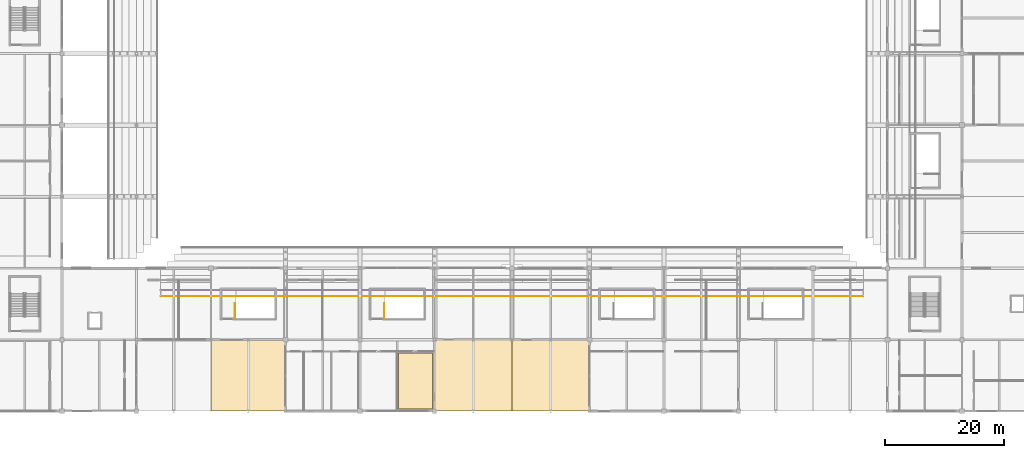
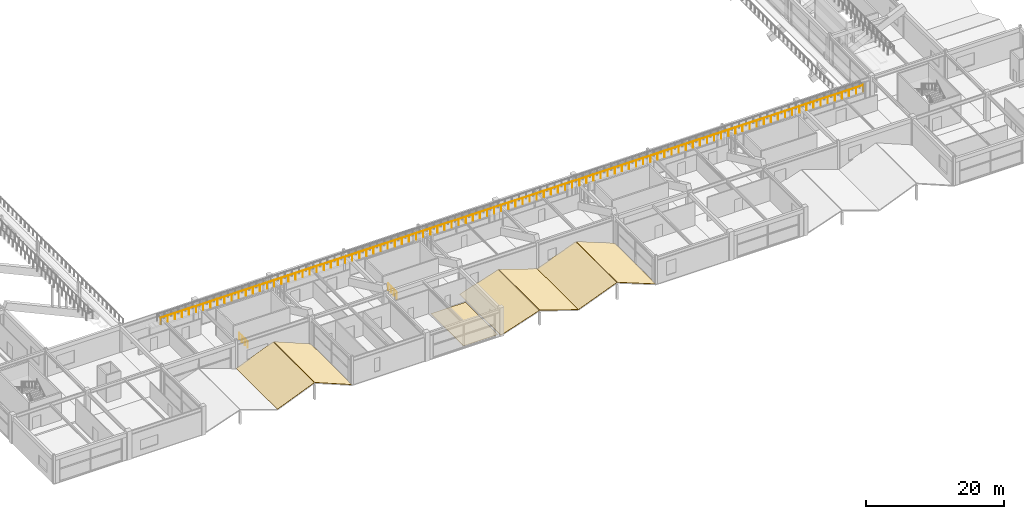
# One storey, part 108 of 128: 7 coverings, 3 railings.
"""IFC4 building model written with IfcOpenShell, lengths in metres."""

from ifc_helpers import new_model, si_unit, direction, frame, origin, origin_2d, place, context, subcontext, project, spatial, polyline, circle, outline, extrude, material, layer, layer_set, type_object, element, save


model = new_model("IFC4")

# Units and contexts
model_context = context("Model", 3, precision=1e-05, world=origin(), true_north=direction((0.0, 1.0)))
body_context = subcontext(model_context, "Body", "Model", "MODEL_VIEW")
ifc_project = project(units=[si_unit("LENGTHUNIT", "METRE"), si_unit("AREAUNIT", "SQUARE_METRE"), si_unit("VOLUMEUNIT", "CUBIC_METRE"), si_unit("PLANEANGLEUNIT", "RADIAN"), si_unit("MASSUNIT", "GRAM", prefix="KILO")], contexts=[model_context])

# Site, building, storey
site_placement = place(None, origin())
site = spatial("IfcSite", under=ifc_project, at=site_placement, CompositionType="ELEMENT")
building_placement = place(site_placement, origin())
building = spatial("IfcBuilding", under=site, at=building_placement, Name="Kazenohara Klinker Stadium", CompositionType="ELEMENT")
storey_placement = place(building_placement, frame((0.0, 0.0, 15.300048828125)))
storey = spatial("IfcBuildingStorey", under=building, at=storey_placement, Name="L03", CompositionType="ELEMENT", Elevation=15.300048828125)

# Coverings
ifc_material_1 = material(Name="Slip-resistant honed basalt terrazzo flooring", Category="masonry")
ifc_layer_1 = layer(ifc_material_1, 0.02001953125)
ifc_layer_set_1 = layer_set([ifc_layer_1], Name="Slip-resistant honed basalt terrazzo flooring")
covering_type_1 = type_object("IfcCoveringType", Name="COV-FLR-01", PredefinedType="FLOORING", material=ifc_layer_set_1)
covering_placement = place(storey_placement, origin())
element("IfcCovering", 1, at=covering_placement, inside=storey, type_object=covering_type_1, Name="Interior floor finish FL01 Concourse Cold-Climate Hospitality Lounge L03-0701B", PredefinedType="FLOORING", context=body_context, shape_type="SweptSolid", body=[
    extrude(outline(polyline([(92.919189453125, 12.330078125), (98.68994140625, 12.330078125), (98.68994140625, 21.77001953125), (92.919189453125, 21.77001953125), (92.919189453125, 12.330078125)])), origin(), (0.0, 0.0, 1.0), 0.02001953125),
])
ifc_material_2 = material(Name="Insulated standing-seam copper roofing", Category="metal")
ifc_layer_2 = layer(ifc_material_2, 0.050048828125)
ifc_layer_set_2 = layer_set([ifc_layer_2], Name="Insulated standing-seam copper roofing")
covering_type_2 = type_object("IfcCoveringType", Name="COV-ROOF-01", PredefinedType="ROOFING", material=ifc_layer_set_2)
for number, where, z_axis, x_axis, name in (
    (2, (61.5, 12.0, -0.030029296875), (-0.380383442935, 0.0, 0.924828868678), (0.924828868678, 0.0, 0.380383442935), "Standing-seam copper stepped wing roofing L03-A 6/B"),
    (3, (67.800048828125, 12.0, 2.52001953125), (0.380383442935, 0.0, 0.924828868678), (0.924828868678, 0.0, -0.380383442935), "Standing-seam copper stepped wing roofing L03-B 6/B"),
):
    element("IfcCovering", number, at=place(storey_placement, frame(where, z_axis=z_axis, x_axis=x_axis)), inside=storey, type_object=covering_type_2, Name=name, PredefinedType="ROOFING", context=body_context, shape_type="SweptSolid", body=[
        extrude(outline(polyline([(0.0, 0.0), (6.703890181040846, 0.0), (6.703890181040846, 12.0), (0.0, 12.0), (0.0, 0.0)])), origin(), (0.0, 0.0, -1.0), 0.050048828125),
    ])
for number, where, z_axis, x_axis, name in (
    (4, (99.0, 12.0, -0.030029296875), (-0.316216993217, 0.0, 0.948686888916), (0.948686888916, 0.0, 0.316216993217), "Standing-seam copper stepped wing roofing L03-A 9/B"),
    (5, (105.550048828125, 12.0, 2.119873046875), (0.316216993217, 0.0, 0.948686888916), (0.948686888916, 0.0, -0.316216993217), "Standing-seam copper stepped wing roofing L03-B 9/B"),
):
    element("IfcCovering", number, at=place(storey_placement, frame(where, z_axis=z_axis, x_axis=x_axis)), inside=storey, type_object=covering_type_2, Name=name, PredefinedType="ROOFING", context=body_context, shape_type="SweptSolid", body=[
        extrude(outline(polyline([(0.0, 0.0), (6.7988197657559235, 0.0), (6.7988197657559235, 12.0), (0.0, 12.0), (0.0, 0.0)])), origin(), (0.0, 0.0, -1.0), 0.050048828125),
    ])
for number, where, z_axis, x_axis, name in (
    (6, (112.0, 12.0, -0.030029296875), (-0.36766738485, 0.0, 0.929957361451), (0.929957361451, 0.0, 0.36766738485), "Standing-seam copper stepped wing roofing L03-A 10/B"),
    (7, (118.550048828125, 12.0, 2.52001953125), (0.36766738485, 0.0, 0.929957361451), (0.929957361451, 0.0, -0.36766738485), "Standing-seam copper stepped wing roofing L03-B 10/B"),
):
    element("IfcCovering", number, at=place(storey_placement, frame(where, z_axis=z_axis, x_axis=x_axis)), inside=storey, type_object=covering_type_2, Name=name, PredefinedType="ROOFING", context=body_context, shape_type="SweptSolid", body=[
        extrude(outline(polyline([(0.0, 0.0), (6.935749357163461, 0.0), (6.935749357163461, 12.0), (0.0, 12.0), (0.0, 0.0)])), origin(), (0.0, 0.0, -1.0), 0.050048828125),
    ])

# Railings
ifc_material_3 = material(Name="Galvanised powder-coated steel guardrail", Category="steel")
ifc_layer_3 = layer(ifc_material_3, 0.070068359375)
ifc_layer_set_3 = layer_set([ifc_layer_3], Name="Galvanised powder-coated steel guardrail")
railing_type_1 = type_object("IfcRailingType", Name="RL-GRD-1150", PredefinedType="GUARDRAIL", material=ifc_layer_set_3)
railing_1_placement = place(storey_placement, frame((53.06005859375, 31.280029296875, 6.349853515625)))
element("IfcRailing", 8, at=railing_1_placement, inside=storey, type_object=railing_type_1, Name="Spectator stand sightline guardrail TIER-UPPER-S-01-S", PredefinedType="GUARDRAIL", context=body_context, shape_type="SweptSolid", body=[
    extrude(circle(Radius=0.02392578125, at=origin_2d()), frame((0.0, 0.0, 1.1259765625), z_axis=(1.0, 0.0, 0.0), x_axis=(0.0, 1.0, 0.0)), (0.0, 0.0, 1.0), 117.8798828125),
    extrude(circle(Radius=0.02099609375, at=origin_2d()), origin(), (0.0, 0.0, 1.0), 1.101806640625),
    extrude(circle(Radius=0.02099609375, at=origin_2d()), frame((1.190673828125, 0.0, 0.0)), (0.0, 0.0, 1.0), 1.101806640625),
    extrude(circle(Radius=0.02099609375, at=origin_2d()), frame((2.38134765625, 0.0, 0.0)), (0.0, 0.0, 1.0), 1.101806640625),
    extrude(circle(Radius=0.02099609375, at=origin_2d()), frame((3.572021484375, 0.0, 0.0)), (0.0, 0.0, 1.0), 1.101806640625),
    extrude(circle(Radius=0.02099609375, at=origin_2d()), frame((4.762939453125, 0.0, 0.0)), (0.0, 0.0, 1.0), 1.101806640625),
    extrude(circle(Radius=0.02099609375, at=origin_2d()), frame((5.95361328125, 0.0, 0.0)), (0.0, 0.0, 1.0), 1.101806640625),
    extrude(circle(Radius=0.02099609375, at=origin_2d()), frame((7.144287109375, 0.0, 0.0)), (0.0, 0.0, 1.0), 1.101806640625),
    extrude(circle(Radius=0.02099609375, at=origin_2d()), frame((8.3349609375, 0.0, 0.0)), (0.0, 0.0, 1.0), 1.101806640625),
    extrude(circle(Radius=0.02099609375, at=origin_2d()), frame((9.525634765625, 0.0, 0.0)), (0.0, 0.0, 1.0), 1.101806640625),
    extrude(circle(Radius=0.02099609375, at=origin_2d()), frame((10.71630859375, 0.0, 0.0)), (0.0, 0.0, 1.0), 1.101806640625),
    extrude(circle(Radius=0.02099609375, at=origin_2d()), frame((11.906982421875, 0.0, 0.0)), (0.0, 0.0, 1.0), 1.101806640625),
    extrude(circle(Radius=0.02099609375, at=origin_2d()), frame((13.09765625, 0.0, 0.0)), (0.0, 0.0, 1.0), 1.101806640625),
    extrude(circle(Radius=0.02099609375, at=origin_2d()), frame((14.28857421875, 0.0, 0.0)), (0.0, 0.0, 1.0), 1.101806640625),
    extrude(circle(Radius=0.02099609375, at=origin_2d()), frame((15.479248046875, 0.0, 0.0)), (0.0, 0.0, 1.0), 1.101806640625),
    extrude(circle(Radius=0.02099609375, at=origin_2d()), frame((16.669921875, 0.0, 0.0)), (0.0, 0.0, 1.0), 1.101806640625),
    extrude(circle(Radius=0.02099609375, at=origin_2d()), frame((17.860595703125, 0.0, 0.0)), (0.0, 0.0, 1.0), 1.101806640625),
    extrude(circle(Radius=0.02099609375, at=origin_2d()), frame((19.05126953125, 0.0, 0.0)), (0.0, 0.0, 1.0), 1.101806640625),
    extrude(circle(Radius=0.02099609375, at=origin_2d()), frame((20.241943359375, 0.0, 0.0)), (0.0, 0.0, 1.0), 1.101806640625),
    extrude(circle(Radius=0.02099609375, at=origin_2d()), frame((21.4326171875, 0.0, 0.0)), (0.0, 0.0, 1.0), 1.101806640625),
    extrude(circle(Radius=0.02099609375, at=origin_2d()), frame((22.623291015625, 0.0, 0.0)), (0.0, 0.0, 1.0), 1.101806640625),
    extrude(circle(Radius=0.02099609375, at=origin_2d()), frame((23.814208984375, 0.0, 0.0)), (0.0, 0.0, 1.0), 1.101806640625),
    extrude(circle(Radius=0.02099609375, at=origin_2d()), frame((25.0048828125, 0.0, 0.0)), (0.0, 0.0, 1.0), 1.101806640625),
    extrude(circle(Radius=0.02099609375, at=origin_2d()), frame((26.195556640625, 0.0, 0.0)), (0.0, 0.0, 1.0), 1.101806640625),
    extrude(circle(Radius=0.02099609375, at=origin_2d()), frame((27.38623046875, 0.0, 0.0)), (0.0, 0.0, 1.0), 1.101806640625),
    extrude(circle(Radius=0.02099609375, at=origin_2d()), frame((28.576904296875, 0.0, 0.0)), (0.0, 0.0, 1.0), 1.101806640625),
    extrude(circle(Radius=0.02099609375, at=origin_2d()), frame((29.767578125, 0.0, 0.0)), (0.0, 0.0, 1.0), 1.101806640625),
    extrude(circle(Radius=0.02099609375, at=origin_2d()), frame((30.958251953125, 0.0, 0.0)), (0.0, 0.0, 1.0), 1.101806640625),
    extrude(circle(Radius=0.02099609375, at=origin_2d()), frame((32.149169921875, 0.0, 0.0)), (0.0, 0.0, 1.0), 1.101806640625),
    extrude(circle(Radius=0.02099609375, at=origin_2d()), frame((33.33984375, 0.0, 0.0)), (0.0, 0.0, 1.0), 1.101806640625),
    extrude(circle(Radius=0.02099609375, at=origin_2d()), frame((34.530517578125, 0.0, 0.0)), (0.0, 0.0, 1.0), 1.101806640625),
    extrude(circle(Radius=0.02099609375, at=origin_2d()), frame((35.72119140625, 0.0, 0.0)), (0.0, 0.0, 1.0), 1.101806640625),
    extrude(circle(Radius=0.02099609375, at=origin_2d()), frame((36.911865234375, 0.0, 0.0)), (0.0, 0.0, 1.0), 1.101806640625),
    extrude(circle(Radius=0.02099609375, at=origin_2d()), frame((38.1025390625, 0.0, 0.0)), (0.0, 0.0, 1.0), 1.101806640625),
    extrude(circle(Radius=0.02099609375, at=origin_2d()), frame((39.293212890625, 0.0, 0.0)), (0.0, 0.0, 1.0), 1.101806640625),
    extrude(circle(Radius=0.02099609375, at=origin_2d()), frame((40.48388671875, 0.0, 0.0)), (0.0, 0.0, 1.0), 1.101806640625),
    extrude(circle(Radius=0.02099609375, at=origin_2d()), frame((41.6748046875, 0.0, 0.0)), (0.0, 0.0, 1.0), 1.101806640625),
    extrude(circle(Radius=0.02099609375, at=origin_2d()), frame((42.865478515625, 0.0, 0.0)), (0.0, 0.0, 1.0), 1.101806640625),
    extrude(circle(Radius=0.02099609375, at=origin_2d()), frame((44.05615234375, 0.0, 0.0)), (0.0, 0.0, 1.0), 1.101806640625),
    extrude(circle(Radius=0.02099609375, at=origin_2d()), frame((45.246826171875, 0.0, 0.0)), (0.0, 0.0, 1.0), 1.101806640625),
    extrude(circle(Radius=0.02099609375, at=origin_2d()), frame((46.4375, 0.0, 0.0)), (0.0, 0.0, 1.0), 1.101806640625),
    extrude(circle(Radius=0.02099609375, at=origin_2d()), frame((47.628173828125, 0.0, 0.0)), (0.0, 0.0, 1.0), 1.101806640625),
    extrude(circle(Radius=0.02099609375, at=origin_2d()), frame((48.81884765625, 0.0, 0.0)), (0.0, 0.0, 1.0), 1.101806640625),
    extrude(circle(Radius=0.02099609375, at=origin_2d()), frame((50.009765625, 0.0, 0.0)), (0.0, 0.0, 1.0), 1.101806640625),
    extrude(circle(Radius=0.02099609375, at=origin_2d()), frame((51.200439453125, 0.0, 0.0)), (0.0, 0.0, 1.0), 1.101806640625),
    extrude(circle(Radius=0.02099609375, at=origin_2d()), frame((52.39111328125, 0.0, 0.0)), (0.0, 0.0, 1.0), 1.101806640625),
    extrude(circle(Radius=0.02099609375, at=origin_2d()), frame((53.581787109375, 0.0, 0.0)), (0.0, 0.0, 1.0), 1.101806640625),
    extrude(circle(Radius=0.02099609375, at=origin_2d()), frame((54.7724609375, 0.0, 0.0)), (0.0, 0.0, 1.0), 1.101806640625),
    extrude(circle(Radius=0.02099609375, at=origin_2d()), frame((55.963134765625, 0.0, 0.0)), (0.0, 0.0, 1.0), 1.101806640625),
    extrude(circle(Radius=0.02099609375, at=origin_2d()), frame((57.15380859375, 0.0, 0.0)), (0.0, 0.0, 1.0), 1.101806640625),
    extrude(circle(Radius=0.02099609375, at=origin_2d()), frame((58.344482421875, 0.0, 0.0)), (0.0, 0.0, 1.0), 1.101806640625),
    extrude(circle(Radius=0.02099609375, at=origin_2d()), frame((59.535400390625, 0.0, 0.0)), (0.0, 0.0, 1.0), 1.101806640625),
    extrude(circle(Radius=0.02099609375, at=origin_2d()), frame((60.72607421875, 0.0, 0.0)), (0.0, 0.0, 1.0), 1.101806640625),
    extrude(circle(Radius=0.02099609375, at=origin_2d()), frame((61.916748046875, 0.0, 0.0)), (0.0, 0.0, 1.0), 1.101806640625),
    extrude(circle(Radius=0.02099609375, at=origin_2d()), frame((63.107421875, 0.0, 0.0)), (0.0, 0.0, 1.0), 1.101806640625),
    extrude(circle(Radius=0.02099609375, at=origin_2d()), frame((64.298095703125, 0.0, 0.0)), (0.0, 0.0, 1.0), 1.101806640625),
    extrude(circle(Radius=0.02099609375, at=origin_2d()), frame((65.48876953125, 0.0, 0.0)), (0.0, 0.0, 1.0), 1.101806640625),
    extrude(circle(Radius=0.02099609375, at=origin_2d()), frame((66.679443359375, 0.0, 0.0)), (0.0, 0.0, 1.0), 1.101806640625),
    extrude(circle(Radius=0.02099609375, at=origin_2d()), frame((67.8701171875, 0.0, 0.0)), (0.0, 0.0, 1.0), 1.101806640625),
    extrude(circle(Radius=0.02099609375, at=origin_2d()), frame((69.06103515625, 0.0, 0.0)), (0.0, 0.0, 1.0), 1.101806640625),
    extrude(circle(Radius=0.02099609375, at=origin_2d()), frame((70.251708984375, 0.0, 0.0)), (0.0, 0.0, 1.0), 1.101806640625),
    extrude(circle(Radius=0.02099609375, at=origin_2d()), frame((71.4423828125, 0.0, 0.0)), (0.0, 0.0, 1.0), 1.101806640625),
    extrude(circle(Radius=0.02099609375, at=origin_2d()), frame((72.633056640625, 0.0, 0.0)), (0.0, 0.0, 1.0), 1.101806640625),
    extrude(circle(Radius=0.02099609375, at=origin_2d()), frame((73.82373046875, 0.0, 0.0)), (0.0, 0.0, 1.0), 1.101806640625),
    extrude(circle(Radius=0.02099609375, at=origin_2d()), frame((75.014404296875, 0.0, 0.0)), (0.0, 0.0, 1.0), 1.101806640625),
    extrude(circle(Radius=0.02099609375, at=origin_2d()), frame((76.205078125, 0.0, 0.0)), (0.0, 0.0, 1.0), 1.101806640625),
    extrude(circle(Radius=0.02099609375, at=origin_2d()), frame((77.39599609375, 0.0, 0.0)), (0.0, 0.0, 1.0), 1.101806640625),
    extrude(circle(Radius=0.02099609375, at=origin_2d()), frame((78.586669921875, 0.0, 0.0)), (0.0, 0.0, 1.0), 1.101806640625),
    extrude(circle(Radius=0.02099609375, at=origin_2d()), frame((79.77734375, 0.0, 0.0)), (0.0, 0.0, 1.0), 1.101806640625),
    extrude(circle(Radius=0.02099609375, at=origin_2d()), frame((80.968017578125, 0.0, 0.0)), (0.0, 0.0, 1.0), 1.101806640625),
    extrude(circle(Radius=0.02099609375, at=origin_2d()), frame((82.15869140625, 0.0, 0.0)), (0.0, 0.0, 1.0), 1.101806640625),
    extrude(circle(Radius=0.02099609375, at=origin_2d()), frame((83.349365234375, 0.0, 0.0)), (0.0, 0.0, 1.0), 1.101806640625),
    extrude(circle(Radius=0.02099609375, at=origin_2d()), frame((84.5400390625, 0.0, 0.0)), (0.0, 0.0, 1.0), 1.101806640625),
    extrude(circle(Radius=0.02099609375, at=origin_2d()), frame((85.730712890625, 0.0, 0.0)), (0.0, 0.0, 1.0), 1.101806640625),
    extrude(circle(Radius=0.02099609375, at=origin_2d()), frame((86.921630859375, 0.0, 0.0)), (0.0, 0.0, 1.0), 1.101806640625),
    extrude(circle(Radius=0.02099609375, at=origin_2d()), frame((88.1123046875, 0.0, 0.0)), (0.0, 0.0, 1.0), 1.101806640625),
    extrude(circle(Radius=0.02099609375, at=origin_2d()), frame((89.302978515625, 0.0, 0.0)), (0.0, 0.0, 1.0), 1.101806640625),
    extrude(circle(Radius=0.02099609375, at=origin_2d()), frame((90.49365234375, 0.0, 0.0)), (0.0, 0.0, 1.0), 1.101806640625),
    extrude(circle(Radius=0.02099609375, at=origin_2d()), frame((91.684326171875, 0.0, 0.0)), (0.0, 0.0, 1.0), 1.101806640625),
    extrude(circle(Radius=0.02099609375, at=origin_2d()), frame((92.875, 0.0, 0.0)), (0.0, 0.0, 1.0), 1.101806640625),
    extrude(circle(Radius=0.02099609375, at=origin_2d()), frame((94.065673828125, 0.0, 0.0)), (0.0, 0.0, 1.0), 1.101806640625),
    extrude(circle(Radius=0.02099609375, at=origin_2d()), frame((95.256591796875, 0.0, 0.0)), (0.0, 0.0, 1.0), 1.101806640625),
    extrude(circle(Radius=0.02099609375, at=origin_2d()), frame((96.447265625, 0.0, 0.0)), (0.0, 0.0, 1.0), 1.101806640625),
    extrude(circle(Radius=0.02099609375, at=origin_2d()), frame((97.637939453125, 0.0, 0.0)), (0.0, 0.0, 1.0), 1.101806640625),
    extrude(circle(Radius=0.02099609375, at=origin_2d()), frame((98.82861328125, 0.0, 0.0)), (0.0, 0.0, 1.0), 1.101806640625),
    extrude(circle(Radius=0.02099609375, at=origin_2d()), frame((100.019287109375, 0.0, 0.0)), (0.0, 0.0, 1.0), 1.101806640625),
    extrude(circle(Radius=0.02099609375, at=origin_2d()), frame((101.2099609375, 0.0, 0.0)), (0.0, 0.0, 1.0), 1.101806640625),
    extrude(circle(Radius=0.02099609375, at=origin_2d()), frame((102.400634765625, 0.0, 0.0)), (0.0, 0.0, 1.0), 1.101806640625),
    extrude(circle(Radius=0.02099609375, at=origin_2d()), frame((103.59130859375, 0.0, 0.0)), (0.0, 0.0, 1.0), 1.101806640625),
    extrude(circle(Radius=0.02099609375, at=origin_2d()), frame((104.7822265625, 0.0, 0.0)), (0.0, 0.0, 1.0), 1.101806640625),
    extrude(circle(Radius=0.02099609375, at=origin_2d()), frame((105.972900390625, 0.0, 0.0)), (0.0, 0.0, 1.0), 1.101806640625),
    extrude(circle(Radius=0.02099609375, at=origin_2d()), frame((107.16357421875, 0.0, 0.0)), (0.0, 0.0, 1.0), 1.101806640625),
    extrude(circle(Radius=0.02099609375, at=origin_2d()), frame((108.354248046875, 0.0, 0.0)), (0.0, 0.0, 1.0), 1.101806640625),
    extrude(circle(Radius=0.02099609375, at=origin_2d()), frame((109.544921875, 0.0, 0.0)), (0.0, 0.0, 1.0), 1.101806640625),
    extrude(circle(Radius=0.02099609375, at=origin_2d()), frame((110.735595703125, 0.0, 0.0)), (0.0, 0.0, 1.0), 1.101806640625),
    extrude(circle(Radius=0.02099609375, at=origin_2d()), frame((111.92626953125, 0.0, 0.0)), (0.0, 0.0, 1.0), 1.101806640625),
    extrude(circle(Radius=0.02099609375, at=origin_2d()), frame((113.116943359375, 0.0, 0.0)), (0.0, 0.0, 1.0), 1.101806640625),
    extrude(circle(Radius=0.02099609375, at=origin_2d()), frame((114.307861328125, 0.0, 0.0)), (0.0, 0.0, 1.0), 1.101806640625),
    extrude(circle(Radius=0.02099609375, at=origin_2d()), frame((115.49853515625, 0.0, 0.0)), (0.0, 0.0, 1.0), 1.101806640625),
    extrude(circle(Radius=0.02099609375, at=origin_2d()), frame((116.689208984375, 0.0, 0.0)), (0.0, 0.0, 1.0), 1.101806640625),
    extrude(circle(Radius=0.02099609375, at=origin_2d()), frame((117.8798828125, 0.0, 0.0)), (0.0, 0.0, 1.0), 1.101806640625),
])
ifc_material_4 = material(Name="Painted steel stairwell guardrail", Category="steel")
ifc_layer_4 = layer(ifc_material_4, 0.06005859375)
ifc_layer_set_4 = layer_set([ifc_layer_4], Name="Painted steel stairwell guardrail")
railing_type_2 = type_object("IfcRailingType", Name="RL-STG-1120", PredefinedType="GUARDRAIL", material=ifc_layer_set_4)
railing_2_placement = place(storey_placement, frame((65.5400390625, 27.60009765625, 0.0)))
element("IfcRailing", 9, at=railing_2_placement, inside=storey, type_object=railing_type_2, Name="L03 ST25 top well guard 1", PredefinedType="GUARDRAIL", context=body_context, shape_type="SweptSolid", body=[
    extrude(circle(Radius=0.02392578125, at=origin_2d()), frame((0.0, 0.0, 1.1259765625), z_axis=(0.0, 1.0, 0.0), x_axis=(-1.0, 0.0, 0.0)), (0.0, 0.0, 1.0), 2.5),
    extrude(circle(Radius=0.02099609375, at=origin_2d()), origin(), (0.0, 0.0, 1.0), 1.101806640625),
    extrude(circle(Radius=0.02099609375, at=origin_2d()), frame((0.0, 0.833251953125, 0.0)), (0.0, 0.0, 1.0), 1.101806640625),
    extrude(circle(Radius=0.02099609375, at=origin_2d()), frame((0.0, 1.666748046875, 0.0)), (0.0, 0.0, 1.0), 1.101806640625),
    extrude(circle(Radius=0.02099609375, at=origin_2d()), frame((0.0, 2.5, 0.0)), (0.0, 0.0, 1.0), 1.101806640625),
])
railing_3_placement = place(storey_placement, frame((90.550048828125, 27.590087890625, 0.0)))
element("IfcRailing", 10, at=railing_3_placement, inside=storey, type_object=railing_type_2, Name="L03 ST26 top well guard 1", PredefinedType="GUARDRAIL", context=body_context, shape_type="SweptSolid", body=[
    extrude(circle(Radius=0.02392578125, at=origin_2d()), frame((0.0, 0.0, 1.1259765625), z_axis=(0.0, 1.0, 0.0), x_axis=(-1.0, 0.0, 0.0)), (0.0, 0.0, 1.0), 2.510009765625),
    extrude(circle(Radius=0.02099609375, at=origin_2d()), origin(), (0.0, 0.0, 1.0), 1.101806640625),
    extrude(circle(Radius=0.02099609375, at=origin_2d()), frame((0.0, 0.836669921875, 0.0)), (0.0, 0.0, 1.0), 1.101806640625),
    extrude(circle(Radius=0.02099609375, at=origin_2d()), frame((0.0, 1.67333984375, 0.0)), (0.0, 0.0, 1.0), 1.101806640625),
    extrude(circle(Radius=0.02099609375, at=origin_2d()), frame((0.0, 2.510009765625, 0.0)), (0.0, 0.0, 1.0), 1.101806640625),
])

save(model, "model.ifc")
